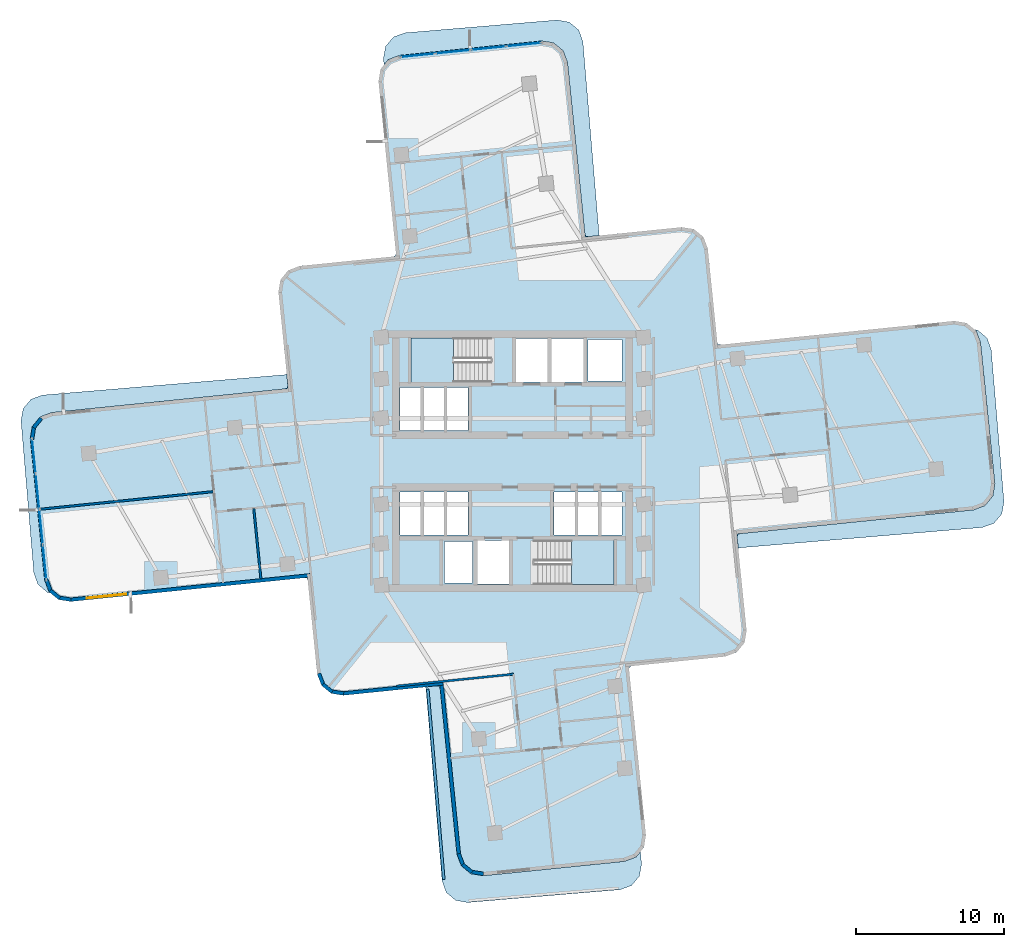
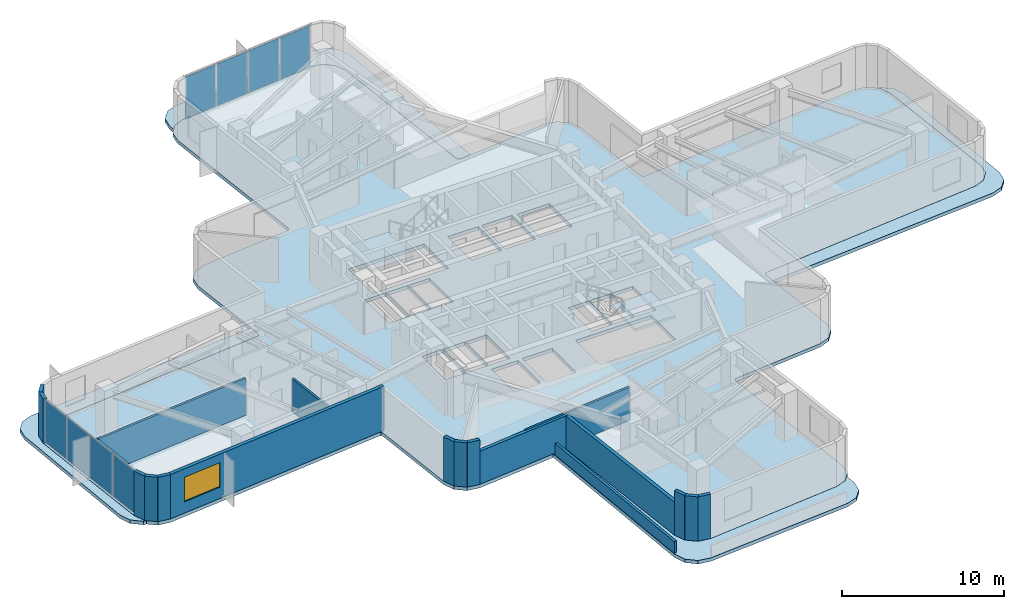
# One storey, part 6 of 14: 18 walls, 8 plates, 7 slabs, 1 window, 1 opening, 4 elements without a shape of their own.
"""IFC4 building model written with IfcOpenShell, lengths in metres."""

import ifcopenshell
import ifcopenshell.guid

model = None  # the IFC model being written
_history = None  # IfcOwnerHistory: only IFC2X3 demands one
_inside = {}  # id of a spatial element -> (the spatial element, [elements in it])
_under = {}  # id of a project, library or spatial element -> (it, [spatial elements below it])
_declared = {}  # id of a project -> (the project, [libraries it declares])
_typed = {}  # id of a type object -> (the type object, [elements of that type])
_made_of = {}  # id of a material, layer set ... -> (it, [elements and type objects made of it])


def new_model(schema):
    """Start an empty IFC model of exactly this schema.

    Asked for "IFC4X3", IfcOpenShell would pick the latest addendum, in which some entities
    have other attributes; the version numbers below select the first issue.
    IFC2X3 requires an IfcOwnerHistory on every rooted entity: one is made here for all.
    """
    global model, _history
    if schema == "IFC4X3":
        model = ifcopenshell.file(schema_version=(4, 3, 0, 0))
    else:
        model = ifcopenshell.file(schema=schema)
    _inside.clear()
    _under.clear()
    _declared.clear()
    _typed.clear()
    _made_of.clear()
    _history = None
    if model.schema == "IFC2X3":
        org = make("IfcOrganization", Name="unknown")
        user = make(
            "IfcPersonAndOrganization",
            ThePerson=make("IfcPerson", FamilyName="unknown"),
            TheOrganization=org,
        )
        app = make(
            "IfcApplication",
            ApplicationDeveloper=org,
            Version="unknown",
            ApplicationFullName="unknown",
            ApplicationIdentifier="unknown",
        )
        _history = make(
            "IfcOwnerHistory",
            OwningUser=user,
            OwningApplication=app,
            ChangeAction="ADDED",
            CreationDate=0,
        )
    return model


def make(cls, **values):
    """One entity of the class cls with the attributes given. An attribute that is None is left unset."""
    return model.create_entity(
        cls, **{name: value for name, value in values.items() if value is not None}
    )


def rooted(cls, **values):
    """An entity with a GlobalId (a new one), such as an element, a storey or a relation."""
    return make(cls, GlobalId=ifcopenshell.guid.new(), OwnerHistory=_history, **values)


def si_unit(unit_type, name, prefix=None):
    """IfcSIUnit, for example si_unit("LENGTHUNIT", "METRE", prefix="MILLI")."""
    return make("IfcSIUnit", UnitType=unit_type, Prefix=prefix, Name=name)


def assignment(units):
    """IfcUnitAssignment: the units of a project."""
    return None if units is None else make("IfcUnitAssignment", Units=units)


def point(xyz):
    """IfcCartesianPoint."""
    return None if xyz is None else make("IfcCartesianPoint", Coordinates=xyz)


def direction(xyz):
    """IfcDirection."""
    return None if xyz is None else make("IfcDirection", DirectionRatios=xyz)


def frame(location, z_axis=None, x_axis=None):
    """IfcAxis2Placement3D, a coordinate frame: its origin and axes. An axis left out is left unset."""
    return make(
        "IfcAxis2Placement3D",
        Location=point(location),
        Axis=direction(z_axis),
        RefDirection=direction(x_axis),
    )


def frame_2d(location, x_axis=None):
    """IfcAxis2Placement2D, a coordinate frame in the plane: its origin and x axis."""
    return make(
        "IfcAxis2Placement2D", Location=point(location), RefDirection=direction(x_axis)
    )


def origin():
    """The frame at (0, 0, 0) with its axes left unset."""
    return frame((0.0, 0.0, 0.0))


def origin_2d():
    """The frame at (0, 0) in the plane with its x axis left unset."""
    return frame_2d((0.0, 0.0))


def place(relative_to, where):
    """IfcLocalPlacement: puts the frame where relative to a parent placement (None: the world)."""
    return make(
        "IfcLocalPlacement", PlacementRelTo=relative_to, RelativePlacement=where
    )


def context(
    kind, dimensions, precision=None, world=None, true_north=None, identifier=None
):
    """IfcGeometricRepresentationContext, for example the 3D "Model" context."""
    return make(
        "IfcGeometricRepresentationContext",
        ContextIdentifier=identifier,
        ContextType=kind,
        CoordinateSpaceDimension=dimensions,
        Precision=precision,
        WorldCoordinateSystem=world,
        TrueNorth=true_north,
    )


def subcontext(parent, identifier, kind, view, scale=None):
    """IfcGeometricRepresentationSubContext, for example "Body" below "Model"."""
    return make(
        "IfcGeometricRepresentationSubContext",
        ContextIdentifier=identifier,
        ContextType=kind,
        ParentContext=parent,
        TargetScale=scale,
        TargetView=view,
    )


def project(units=None, contexts=None):
    """IfcProject with its units and contexts."""
    return rooted(
        "IfcProject",
        Name="project",
        RepresentationContexts=contexts,
        UnitsInContext=assignment(units),
    )


def spatial(cls, under=None, at=None, **own):
    """A site, building, storey or space (cls), placed at a placement, below another one or the project."""
    s = rooted(cls, ObjectPlacement=at, **own)
    if under is not None:
        _under.setdefault(under.id(), (under, []))[1].append(s)
    return s


def polyline(points):
    """IfcPolyline through the points."""
    return make("IfcPolyline", Points=[point(p) for p in points])


def profile(cls, at=None, kind="AREA", **sizes):
    """A parametric profile (cls). Its sizes go by their IFC names, for example OverallWidth=200.0."""
    return make(cls, ProfileType=kind, Position=at, **sizes)


def rectangle(**sizes):
    """IfcRectangleProfileDef."""
    return profile("IfcRectangleProfileDef", **sizes)


def outline(outer, holes=None, kind="AREA"):
    """IfcArbitraryClosedProfileDef: a profile drawn as a closed curve; with holes, ...WithVoids."""
    if holes is None:
        return make("IfcArbitraryClosedProfileDef", ProfileType=kind, OuterCurve=outer)
    return make(
        "IfcArbitraryProfileDefWithVoids",
        ProfileType=kind,
        OuterCurve=outer,
        InnerCurves=holes,
    )


def extrude(swept, where, along, depth):
    """IfcExtrudedAreaSolid: the profile swept, set in the frame where, extruded along a direction by depth."""
    return make(
        "IfcExtrudedAreaSolid",
        SweptArea=swept,
        Position=where,
        ExtrudedDirection=direction(along),
        Depth=depth,
    )


def shape(context_of_items, identifier, shape_type, items):
    """IfcShapeRepresentation: the items that make up one representation, for example the "Body"."""
    return make(
        "IfcShapeRepresentation",
        ContextOfItems=context_of_items,
        RepresentationIdentifier=identifier,
        RepresentationType=shape_type,
        Items=items,
    )


def material(Name=None, Category=None):
    """IfcMaterial."""
    return make("IfcMaterial", Name=Name, Category=Category)


def layer(
    of_material, thickness, ventilated=None, Name=None, Category=None, Priority=None
):
    """IfcMaterialLayer: one layer of a wall or slab, of a material (None: an air gap)."""
    return make(
        "IfcMaterialLayer",
        Material=of_material,
        LayerThickness=thickness,
        IsVentilated=ventilated,
        Name=Name,
        Category=Category,
        Priority=Priority,
    )


def layer_set(layers, Name=None):
    """IfcMaterialLayerSet."""
    return make("IfcMaterialLayerSet", MaterialLayers=layers, LayerSetName=Name)


def made_of(thing, what):
    """Note that an element or type object is made of a material, layer set ...; save() writes the relation."""
    if what is not None:
        _made_of.setdefault(what.id(), (what, []))[1].append(thing)
    return thing


def type_object(cls, material=None, **own):
    """A type object (cls), such as IfcWallType, which elements share."""
    return made_of(rooted(cls, **own), material)


def element(
    cls,
    number,
    at=None,
    inside=None,
    cuts=None,
    type_object=None,
    material=None,
    context=None,
    identifier="Body",
    shape_type=None,
    held_by="IfcProductDefinitionShape",
    body=None,
    shapes=None,
    **own,
):
    """One element of the class cls, such as IfcWall. Its Tag is "e" and its number.

    at: its placement. inside: the storey or other place that contains it. cuts: it is an
    opening in that element (IfcRelVoidsElement). A single representation is given by context,
    identifier, shape_type and body (its items); several are given by shapes. held_by: the class
    of the entity that holds the representations. save() writes the other relations.
    """
    e = rooted(cls, Tag="e%d" % number, ObjectPlacement=at, **own)
    if body is not None:
        shapes = [shape(context, identifier, shape_type, body)]
    if shapes is not None:
        e.Representation = make(held_by, Representations=shapes)
    if inside is not None:
        _inside.setdefault(inside.id(), (inside, []))[1].append(e)
    if cuts is not None:
        rooted(
            "IfcRelVoidsElement", RelatingBuildingElement=cuts, RelatedOpeningElement=e
        )
    if type_object is not None:
        _typed.setdefault(type_object.id(), (type_object, []))[1].append(e)
    return made_of(e, material)


def fill(opening, filler):
    """IfcRelFillsElement: the door or window that sits in an opening."""
    return rooted(
        "IfcRelFillsElement",
        RelatingOpeningElement=opening,
        RelatedBuildingElement=filler,
    )


def aggregate(whole, parts):
    """IfcRelAggregates: a whole, such as a stair, and the parts it consists of."""
    return rooted("IfcRelAggregates", RelatingObject=whole, RelatedObjects=parts)


def save(model, path):
    """Write the relations noted so far, then the file.

    IfcRelAggregates (storeys below a building ...), IfcRelContainedInSpatialStructure (elements
    in a storey), IfcRelDefinesByType, IfcRelAssociatesMaterial and IfcRelDeclares: one each for
    every whole, place, type object, material and project.
    """
    for whole, parts in _under.values():
        aggregate(whole, parts)
    for where, things in _inside.values():
        rooted(
            "IfcRelContainedInSpatialStructure",
            RelatedElements=things,
            RelatingStructure=where,
        )
    for kind, things in _typed.values():
        rooted("IfcRelDefinesByType", RelatedObjects=things, RelatingType=kind)
    for what, things in _made_of.values():
        rooted("IfcRelAssociatesMaterial", RelatedObjects=things, RelatingMaterial=what)
    for by, libraries in _declared.values():
        rooted("IfcRelDeclares", RelatingContext=by, RelatedDefinitions=libraries)
    model.write(path)


model = new_model("IFC4")

# Units and contexts
model_context = context("Model", 3, precision=1e-05, world=origin(), true_north=direction((0.0, 1.0)))
body_context = subcontext(model_context, "Body", "Model", "MODEL_VIEW")
ifc_project = project(units=[si_unit("LENGTHUNIT", "METRE"), si_unit("AREAUNIT", "SQUARE_METRE"), si_unit("VOLUMEUNIT", "CUBIC_METRE"), si_unit("PLANEANGLEUNIT", "RADIAN"), si_unit("MASSUNIT", "GRAM", prefix="KILO")], contexts=[model_context])

# Site, building, storey
site_placement = place(None, origin())
site = spatial("IfcSite", under=ifc_project, at=site_placement, CompositionType="ELEMENT")
building_placement = place(site_placement, origin())
building = spatial("IfcBuilding", under=site, at=building_placement, Name="Solmarez Civic Tower", CompositionType="ELEMENT")
storey_placement = place(building_placement, frame((0.0, 0.0, 67.679931640625)))
storey = spatial("IfcBuildingStorey", under=building, at=storey_placement, Name="L17", CompositionType="ELEMENT", Elevation=67.679931640625)

# Curtain wall, plates
ifc_material_1 = material(Name="Bronze Anodised Aluminium EN AW-6063 T6", Category="aluminium")
ifc_layer_1 = layer(ifc_material_1, 0.199951171875)
ifc_layer_set_1 = layer_set([ifc_layer_1], Name="Bronze Anodised Aluminium EN AW-6063 T6")
curtain_wall_type = type_object("IfcCurtainWallType", Name="CW-SYS-1", PredefinedType="NOTDEFINED", material=ifc_layer_set_1)
curtain_wall_1_placement = place(storey_placement, origin())
curtain_wall_1 = element("IfcCurtainWall", 1, at=curtain_wall_1_placement, inside=storey, type_object=curtain_wall_type, Name="L17 Stick-Built Curtain Wall 1", PredefinedType="NOTDEFINED")
ifc_material_2 = material(Name="Solar Control Low-E Laminated Vision Glass", Category="glass")
ifc_layer_2 = layer(ifc_material_2, 0.028076171875)
ifc_layer_set_2 = layer_set([ifc_layer_2], Name="Solar Control Low-E Laminated Vision Glass")
plate_type = type_object("IfcPlateType", Name="CWP-GLAZ-28", PredefinedType="CURTAIN_PANEL", material=ifc_layer_set_2)
plate_1_placement = place(storey_placement, frame((-31.552490234375, -6.81201171875, 0.0703125), z_axis=(0.0, 0.0, 1.0), x_axis=(-0.101150430699, 0.994871142596, 0.0)))
plate_1 = element("IfcPlate", 2, at=plate_1_placement, type_object=plate_type, Name="CWS1 panel 1.1", PredefinedType="CURTAIN_PANEL", context=body_context, shape_type="SweptSolid", body=[
    extrude(rectangle(XDim=2.292236328125, YDim=0.028076171875, at=origin_2d()), origin(), (0.0, 0.0, 1.0), 3.199951171875),
])
plate_2_placement = place(storey_placement, frame((-31.7939453125, -4.438232421875, 0.0703125), z_axis=(0.0, 0.0, 1.0), x_axis=(-0.101150430699, 0.994871142596, 0.0)))
plate_2 = element("IfcPlate", 3, at=plate_2_placement, type_object=plate_type, Name="CWS1 panel 2.1", PredefinedType="CURTAIN_PANEL", context=body_context, shape_type="SweptSolid", body=[
    extrude(rectangle(XDim=2.329833984375, YDim=0.028076171875, at=origin_2d()), origin(), (0.0, 0.0, 1.0), 3.199951171875),
])
plate_3_placement = place(storey_placement, frame((-32.037109375, -2.045654296875, 0.0703125), z_axis=(0.0, 0.0, 1.0), x_axis=(-0.101150430699, 0.994871142596, 0.0)))
plate_3 = element("IfcPlate", 4, at=plate_3_placement, type_object=plate_type, Name="CWS1 panel 3.1", PredefinedType="CURTAIN_PANEL", context=body_context, shape_type="SweptSolid", body=[
    extrude(rectangle(XDim=2.329833984375, YDim=0.028076171875, at=origin_2d()), origin(), (0.0, 0.0, 1.0), 3.199951171875),
])
plate_4_placement = place(storey_placement, frame((-32.278564453125, 0.328125, 0.0703125), z_axis=(0.0, 0.0, 1.0), x_axis=(-0.101150430699, 0.994871142596, 0.0)))
plate_4 = element("IfcPlate", 5, at=plate_4_placement, type_object=plate_type, Name="CWS1 panel 4.1", PredefinedType="CURTAIN_PANEL", context=body_context, shape_type="SweptSolid", body=[
    extrude(rectangle(XDim=2.292236328125, YDim=0.028076171875, at=origin_2d()), origin(), (0.0, 0.0, 1.0), 3.199951171875),
])
aggregate(curtain_wall_1, [plate_1, plate_2, plate_3, plate_4])

curtain_wall_2_placement = place(storey_placement, origin())
curtain_wall_2 = element("IfcCurtainWall", 6, at=curtain_wall_2_placement, inside=storey, type_object=curtain_wall_type, Name="L17 Stick-Built Curtain Wall 2", PredefinedType="NOTDEFINED")
plate_5_placement = place(storey_placement, frame((-6.38720703125, 27.37451171875, 0.0703125), z_axis=(0.0, 0.0, 1.0), x_axis=(0.994870078801, 0.101160893168, 0.0)))
plate_5 = element("IfcPlate", 7, at=plate_5_placement, type_object=plate_type, Name="CWS1 panel 1.1", PredefinedType="CURTAIN_PANEL", context=body_context, shape_type="SweptSolid", body=[
    extrude(rectangle(XDim=2.2919921875, YDim=0.028076171875, at=origin_2d()), origin(), (0.0, 0.0, 1.0), 3.199951171875),
])
plate_6_placement = place(storey_placement, frame((-4.013671875, 27.615966796875, 0.0703125), z_axis=(0.0, 0.0, 1.0), x_axis=(0.994870078801, 0.101160893168, 0.0)))
plate_6 = element("IfcPlate", 8, at=plate_6_placement, type_object=plate_type, Name="CWS1 panel 2.1", PredefinedType="CURTAIN_PANEL", context=body_context, shape_type="SweptSolid", body=[
    extrude(rectangle(XDim=2.32958984375, YDim=0.028076171875, at=origin_2d()), origin(), (0.0, 0.0, 1.0), 3.199951171875),
])
plate_7_placement = place(storey_placement, frame((-1.621337890625, 27.859130859375, 0.0703125), z_axis=(0.0, 0.0, 1.0), x_axis=(0.994870078801, 0.101160893168, 0.0)))
plate_7 = element("IfcPlate", 9, at=plate_7_placement, type_object=plate_type, Name="CWS1 panel 3.1", PredefinedType="CURTAIN_PANEL", context=body_context, shape_type="SweptSolid", body=[
    extrude(rectangle(XDim=2.32958984375, YDim=0.028076171875, at=origin_2d()), origin(), (0.0, 0.0, 1.0), 3.199951171875),
])
plate_8_placement = place(storey_placement, frame((0.752197265625, 28.1005859375, 0.0703125), z_axis=(0.0, 0.0, 1.0), x_axis=(0.994870078801, 0.101160893168, 0.0)))
plate_8 = element("IfcPlate", 10, at=plate_8_placement, type_object=plate_type, Name="CWS1 panel 4.1", PredefinedType="CURTAIN_PANEL", context=body_context, shape_type="SweptSolid", body=[
    extrude(rectangle(XDim=2.2919921875, YDim=0.028076171875, at=origin_2d()), origin(), (0.0, 0.0, 1.0), 3.199951171875),
])
aggregate(curtain_wall_2, [plate_5, plate_6, plate_7, plate_8])

# Stair, slab
ifc_material_3 = material(Name="Concrete C50/60", Category="concrete")
stair_type = type_object("IfcStairType", Name="STAIR-DOGLEG-140W-20R-1800", PredefinedType="HALF_TURN_STAIR", material=ifc_material_3)
stair_1_placement = place(storey_placement, origin())
stair_1 = element("IfcStair", 11, at=stair_1_placement, inside=storey, type_object=stair_type, Name="L17 North Core Protected Exit Stair ST-1", PredefinedType="HALF_TURN_STAIR")
ifc_layer_3 = layer(ifc_material_3, 0.199951171875)
ifc_layer_set_3 = layer_set([ifc_layer_3], Name="Concrete C50/60")
slab_type_1 = type_object("IfcSlabType", Name="SLAB-LANDING-200", PredefinedType="LANDING", material=ifc_layer_set_3)
slab_1_placement = place(storey_placement, frame((0.0, 0.0, 1.60009765625)))
slab_1 = element("IfcSlab", 12, at=slab_1_placement, type_object=slab_type_1, Name="ST-1 landing 1", PredefinedType="LANDING", context=body_context, shape_type="SweptSolid", body=[
    extrude(outline(polyline([(-3.969970703125, 8.320068359375), (-6.85009765625, 8.320068359375), (-6.85009765625, 5.320068359375), (-3.969970703125, 5.320068359375), (-3.969970703125, 8.320068359375)])), origin(), (0.0, 0.0, 1.0), 0.199951171875),
])
aggregate(stair_1, [slab_1])

stair_2_placement = place(storey_placement, origin())
stair_2 = element("IfcStair", 13, at=stair_2_placement, inside=storey, type_object=stair_type, Name="L17 South Core Protected Exit Stair ST-2", PredefinedType="HALF_TURN_STAIR")
slab_2_placement = place(storey_placement, frame((0.0, 0.0, 1.60009765625)))
slab_2 = element("IfcSlab", 14, at=slab_2_placement, type_object=slab_type_1, Name="ST-2 landing 1", PredefinedType="LANDING", context=body_context, shape_type="SweptSolid", body=[
    extrude(outline(polyline([(3.969970703125, -8.320068359375), (6.85009765625, -8.320068359375), (6.85009765625, -5.320068359375), (3.969970703125, -5.320068359375), (3.969970703125, -8.320068359375)])), origin(), (0.0, 0.0, 1.0), 0.199951171875),
])
aggregate(stair_2, [slab_2])

# Slabs
ifc_layer_4 = layer(ifc_material_3, 0.25)
ifc_layer_set_4 = layer_set([ifc_layer_4], Name="Concrete C50/60")
slab_type_2 = type_object("IfcSlabType", Name="SLAB-ROOF-250", PredefinedType="ROOF", material=ifc_layer_set_4)
slab_3_placement = place(storey_placement, frame((0.0, 0.0, -0.260009765625)))
element("IfcSlab", 15, at=slab_3_placement, inside=storey, type_object=slab_type_2, Name="L17 Setback Roof Slab 1", PredefinedType="ROOF", context=body_context, shape_type="SweptSolid", body=[
    extrude(outline(polyline([(8.633056640625, -26.322021484375), (8.340087890625, -26.680908203125), (7.56494140625, -26.97607421875), (-1.987060546875, -27.946044921875), (-2.804931640625, -27.81298828125), (-3.447998046875, -27.2890625), (-3.741943359375, -26.513916015625), (-4.8779296875, -15.33203125), (-4.93798828125, -15.173095703125), (-5.10595703125, -15.14599609375), (-5.868896484375, -15.222900390625), (-5.840087890625, -15.302978515625), (-4.7490234375, -28.297119140625), (-4.468017578125, -29.075927734375), (-3.8359375, -29.610107421875), (-3.02099609375, -29.757080078125), (7.242919921875, -28.89501953125), (8.02294921875, -28.614990234375), (8.556884765625, -27.98193359375), (8.7041015625, -27.1669921875), (8.633056640625, -26.322021484375)])), origin(), (0.0, 0.0, 1.0), 0.260009765625),
])
slab_4_placement = place(storey_placement, frame((0.0, 0.0, -0.260009765625)))
element("IfcSlab", 16, at=slab_4_placement, inside=storey, type_object=slab_type_2, Name="L17 Setback Roof Slab 2", PredefinedType="ROOF", context=body_context, shape_type="SweptSolid", body=[
    extrude(outline(polyline([(-8.6669921875, 26.72802734375), (-8.3798828125, 27.0791015625), (-7.60498046875, 27.3740234375), (1.946044921875, 28.343994140625), (2.764892578125, 28.2109375), (3.406982421875, 27.68701171875), (3.700927734375, 26.912109375), (4.8779296875, 15.33203125), (4.93798828125, 15.173095703125), (5.10595703125, 15.14599609375), (5.868896484375, 15.222900390625), (5.840087890625, 15.302978515625), (4.7490234375, 28.297119140625), (4.468017578125, 29.075927734375), (3.8359375, 29.610107421875), (3.02099609375, 29.757080078125), (-7.242919921875, 28.89501953125), (-8.02294921875, 28.614990234375), (-8.556884765625, 27.98193359375), (-8.7041015625, 27.1669921875), (-8.6669921875, 26.72802734375)])), origin(), (0.0, 0.0, 1.0), 0.260009765625),
])
slab_5_placement = place(storey_placement, frame((0.0, 0.0, -0.260009765625)))
element("IfcSlab", 17, at=slab_5_placement, inside=storey, type_object=slab_type_2, Name="L17 Setback Roof Slab 3", PredefinedType="ROOF", context=body_context, shape_type="SweptSolid", body=[
    extrude(outline(polyline([(-31.16796875, -8.8779296875), (-31.258056640625, -8.803955078125), (-31.552001953125, -8.030029296875), (-32.52197265625, 1.52197265625), (-32.388916015625, 2.340087890625), (-31.864990234375, 2.98291015625), (-31.090087890625, 3.277099609375), (-15.33203125, 4.8779296875), (-15.173095703125, 4.93798828125), (-15.14599609375, 5.10595703125), (-15.222900390625, 5.868896484375), (-15.302978515625, 5.840087890625), (-31.68505859375, 4.464111328125), (-32.464111328125, 4.18408203125), (-32.9990234375, 3.551025390625), (-33.14501953125, 2.736083984375), (-32.282958984375, -7.528076171875), (-32.0029296875, -8.306884765625), (-31.3701171875, -8.842041015625), (-31.16796875, -8.8779296875)])), origin(), (0.0, 0.0, 1.0), 0.260009765625),
])
slab_6_placement = place(storey_placement, frame((0.0, 0.0, -0.260009765625)))
element("IfcSlab", 18, at=slab_6_placement, inside=storey, type_object=slab_type_2, Name="L17 Setback Roof Slab 4", PredefinedType="ROOF", context=body_context, shape_type="SweptSolid", body=[
    extrude(outline(polyline([(31.16796875, 8.8779296875), (31.258056640625, 8.803955078125), (31.552001953125, 8.030029296875), (32.52197265625, -1.52197265625), (32.388916015625, -2.340087890625), (31.864990234375, -2.98291015625), (31.090087890625, -3.277099609375), (15.33203125, -4.8779296875), (15.173095703125, -4.93798828125), (15.14599609375, -5.10595703125), (15.222900390625, -5.868896484375), (15.302978515625, -5.840087890625), (31.68505859375, -4.464111328125), (32.464111328125, -4.18408203125), (32.9990234375, -3.551025390625), (33.14501953125, -2.736083984375), (32.282958984375, 7.528076171875), (32.0029296875, 8.306884765625), (31.3701171875, 8.842041015625), (31.16796875, 8.8779296875)])), origin(), (0.0, 0.0, 1.0), 0.260009765625),
])
ifc_layer_5 = layer(ifc_material_3, 0.260009765625)
ifc_layer_set_5 = layer_set([ifc_layer_5], Name="Concrete C50/60")
slab_type_3 = type_object("IfcSlabType", Name="SLAB-TOWER-260", PredefinedType="FLOOR", material=ifc_layer_set_5)
slab_7_placement = place(storey_placement, frame((0.0, 0.0, -0.260009765625)))
element("IfcSlab", 19, at=slab_7_placement, inside=storey, type_object=slab_type_3, Name="L17 Structural Slab", PredefinedType="FLOOR", context=body_context, shape_type="SweptSolid", body=[
    extrude(outline(polyline([(-13.806884765625, -8.047119140625), (-13.1669921875, -14.35400390625), (-12.873046875, -15.1279296875), (-12.23095703125, -15.652099609375), (-11.4130859375, -15.783935546875), (-5.10595703125, -15.14404296875), (-4.93701171875, -15.1708984375), (-4.8759765625, -15.33203125), (-3.739990234375, -26.513916015625), (-3.446044921875, -27.2880859375), (-2.803955078125, -27.81103515625), (-1.986083984375, -27.944091796875), (7.56494140625, -26.97412109375), (8.339111328125, -26.679931640625), (8.862060546875, -26.0380859375), (8.9951171875, -25.219970703125), (7.85888671875, -14.0380859375), (7.885986328125, -13.868896484375), (8.047119140625, -13.806884765625), (14.35400390625, -13.1669921875), (15.1279296875, -12.873046875), (15.652099609375, -12.23095703125), (15.783935546875, -11.4130859375), (15.14404296875, -5.10595703125), (15.1708984375, -4.93701171875), (15.33203125, -4.8759765625), (31.090087890625, -3.27490234375), (31.864013671875, -2.98095703125), (32.387939453125, -2.339111328125), (32.52001953125, -1.52099609375), (31.550048828125, 8.029052734375), (31.256103515625, 8.803955078125), (30.614013671875, 9.326904296875), (29.797119140625, 9.4599609375), (14.0380859375, 7.85888671875), (13.868896484375, 7.885986328125), (13.806884765625, 8.047119140625), (13.1669921875, 14.35400390625), (12.873046875, 15.1279296875), (12.23095703125, 15.652099609375), (11.4130859375, 15.783935546875), (5.10595703125, 15.14404296875), (4.93701171875, 15.1708984375), (4.8759765625, 15.33203125), (3.698974609375, 26.912109375), (3.405029296875, 27.68603515625), (2.762939453125, 28.208984375), (1.946044921875, 28.342041015625), (-7.60498046875, 27.3720703125), (-8.37890625, 27.076904296875), (-8.903076171875, 26.43603515625), (-9.034912109375, 25.617919921875), (-7.85888671875, 14.0380859375), (-7.885986328125, 13.868896484375), (-8.047119140625, 13.806884765625), (-14.35400390625, 13.1669921875), (-15.1279296875, 12.873046875), (-15.652099609375, 12.23095703125), (-15.783935546875, 11.4130859375), (-15.14404296875, 5.10595703125), (-15.1708984375, 4.93701171875), (-15.33203125, 4.8759765625), (-31.090087890625, 3.27490234375), (-31.864013671875, 2.98095703125), (-32.387939453125, 2.339111328125), (-32.52001953125, 1.52099609375), (-31.550048828125, -8.029052734375), (-31.256103515625, -8.803955078125), (-30.614013671875, -9.326904296875), (-29.797119140625, -9.4599609375), (-14.0380859375, -7.85888671875), (-13.868896484375, -7.885986328125), (-13.806884765625, -8.047119140625)]), holes=[polyline([(-1.449951171875, 8.320068359375), (-6.85009765625, 8.320068359375), (-6.85009765625, 5.320068359375), (-1.449951171875, 5.320068359375), (-1.449951171875, 8.320068359375)]), polyline([(1.449951171875, -8.320068359375), (6.85009765625, -8.320068359375), (6.85009765625, -5.320068359375), (1.449951171875, -5.320068359375), (1.449951171875, -8.320068359375)]), polyline([(0.219970703125, 5.360107421875), (2.3798828125, 5.360107421875), (2.3798828125, 8.280029296875), (0.219970703125, 8.280029296875), (0.219970703125, 5.360107421875)]), polyline([(2.6201171875, 5.360107421875), (4.780029296875, 5.360107421875), (4.780029296875, 8.280029296875), (2.6201171875, 8.280029296875), (2.6201171875, 5.360107421875)]), polyline([(-2.3798828125, -8.280029296875), (-0.219970703125, -8.280029296875), (-0.219970703125, -5.360107421875), (-2.3798828125, -5.360107421875), (-2.3798828125, -8.280029296875)]), polyline([(2.800048828125, -4.9599609375), (4.280029296875, -4.9599609375), (4.280029296875, -2.06005859375), (2.800048828125, -2.06005859375), (2.800048828125, -4.9599609375)]), polyline([(4.360107421875, -4.9599609375), (5.840087890625, -4.9599609375), (5.840087890625, -2.06005859375), (4.360107421875, -2.06005859375), (4.360107421875, -4.9599609375)]), polyline([(5.919921875, -4.9599609375), (7.39990234375, -4.9599609375), (7.39990234375, -2.06005859375), (5.919921875, -2.06005859375), (5.919921875, -4.9599609375)]), polyline([(-7.60009765625, -4.9599609375), (-6.1201171875, -4.9599609375), (-6.1201171875, -2.06005859375), (-7.60009765625, -2.06005859375), (-7.60009765625, -4.9599609375)]), polyline([(-6.0400390625, -4.9599609375), (-4.56005859375, -4.9599609375), (-4.56005859375, -2.06005859375), (-6.0400390625, -2.06005859375), (-6.0400390625, -4.9599609375)]), polyline([(-4.47998046875, -4.9599609375), (-3.0, -4.9599609375), (-3.0, -2.06005859375), (-4.47998046875, -2.06005859375), (-4.47998046875, -4.9599609375)]), polyline([(-7.60009765625, 2.06005859375), (-6.1201171875, 2.06005859375), (-6.1201171875, 4.9599609375), (-7.60009765625, 4.9599609375), (-7.60009765625, 2.06005859375)]), polyline([(-6.0400390625, 2.06005859375), (-4.56005859375, 2.06005859375), (-4.56005859375, 4.9599609375), (-6.0400390625, 4.9599609375), (-6.0400390625, 2.06005859375)]), polyline([(-4.47998046875, 2.06005859375), (-3.0, 2.06005859375), (-3.0, 4.9599609375), (-4.47998046875, 4.9599609375), (-4.47998046875, 2.06005859375)]), polyline([(5.10009765625, 5.419921875), (7.39990234375, 5.419921875), (7.39990234375, 8.219970703125), (5.10009765625, 8.219970703125), (5.10009765625, 5.419921875)]), polyline([(-4.60009765625, -8.219970703125), (-2.699951171875, -8.219970703125), (-2.699951171875, -5.419921875), (-4.60009765625, -5.419921875), (-4.60009765625, -8.219970703125)])]), origin(), (0.0, 0.0, 1.0), 0.260009765625),
])

# Wall, opening, window
ifc_material_4 = material(Name="Precast concrete C40/50", Category="concrete")
ifc_layer_6 = layer(ifc_material_4, 0.239990234375)
ifc_layer_set_6 = layer_set([ifc_layer_6], Name="Precast concrete C40/50")
wall_type_1 = type_object("IfcWallType", Name="WALL-EXT-240", PredefinedType="SOLIDWALL", material=ifc_layer_set_6)
wall_1_placement = place(storey_placement, frame((-13.6259765625, -7.696044921875, 0.0), z_axis=(0.0, 0.0, 1.0), x_axis=(-0.994872930989, -0.101132839298, 0.0)))
wall_1 = element("IfcWall", 20, at=wall_1_placement, inside=storey, type_object=wall_type_1, Name="L17 Exterior Precast Wall 2", PredefinedType="SOLIDWALL", context=body_context, shape_type="SweptSolid", body=[
    extrude(rectangle(XDim=16.275634765625, YDim=0.239990234375, at=frame_2d((8.1376953125, 0.0))), origin(), (0.0, 0.0, 1.0), 3.340087890625),
])
opening_placement = place(wall_1_placement, frame((12.47509765625, 0.0, 0.85009765625)))
opening = element("IfcOpeningElement", 21, at=opening_placement, cuts=wall_1, Name="Opening W-05", PredefinedType="OPENING", context=body_context, shape_type="SweptSolid", body=[
    extrude(rectangle(XDim=2.699951171875, YDim=1.85009765625, at=frame_2d((1.35009765625, 0.925048828125))), frame((0.0, 0.1298828125, 0.0), z_axis=(0.0, -1.0, 0.0), x_axis=(1.0, 0.0, 0.0)), (0.0, 0.0, 1.0), 0.260009765625),
])
ifc_material_5 = material(Name="Solar Control Bronze-Tinted Insulating Glass", Category="glass")
window_type = type_object("IfcWindowType", Name="WIN-2700X1850", PartitioningType="SINGLE_PANEL", PredefinedType="WINDOW", material=ifc_material_5)
window_placement = place(opening_placement, origin())
window = element("IfcWindow", 22, at=window_placement, inside=storey, type_object=window_type, Name="L17 Exterior Facade Window 2", OverallHeight=1.85009765625, OverallWidth=2.699951171875, PartitioningType="SINGLE_PANEL", PredefinedType="WINDOW", context=body_context, shape_type="SweptSolid", body=[
    extrude(rectangle(XDim=2.699951171875, YDim=1.85009765625, at=frame_2d((1.35009765625, 0.925048828125))), frame((0.0, 0.030029296875, 0.0), z_axis=(0.0, -1.0, 0.0), x_axis=(1.0, 0.0, 0.0)), (0.0, 0.0, 1.0), 0.06005859375),
])
fill(opening, window)

# Walls
wall_2_placement = place(storey_placement, frame((-29.76806640625, -9.343017578125, 0.0), z_axis=(0.0, 0.0, 1.0), x_axis=(-0.987084128833, 0.160202754679, 0.0)))
element("IfcWall", 23, at=wall_2_placement, inside=storey, type_object=wall_type_1, Name="L17 Exterior Precast Wall 3", PredefinedType="SOLIDWALL", context=body_context, shape_type="SweptSolid", body=[
    extrude(rectangle(XDim=0.83056640625, YDim=0.239990234375, at=frame_2d((0.415283203125, 0.0))), origin(), (0.0, 0.0, 1.0), 3.340087890625),
])
wall_3_placement = place(storey_placement, frame((-30.5439453125, -9.22998046875, 0.0), z_axis=(0.0, 0.0, 1.0), x_axis=(-0.774358164226, 0.632747527452, 0.0)))
element("IfcWall", 24, at=wall_3_placement, inside=storey, type_object=wall_type_1, Name="L17 Exterior Precast Wall 4", PredefinedType="SOLIDWALL", context=body_context, shape_type="SweptSolid", body=[
    extrude(rectangle(XDim=0.813720703125, YDim=0.239990234375, at=frame_2d((0.40673828125, 0.0))), origin(), (0.0, 0.0, 1.0), 3.340087890625),
])
wall_4_placement = place(storey_placement, frame((-31.14599609375, -8.75390625, 0.0), z_axis=(0.0, 0.0, 1.0), x_axis=(-0.355701438235, 0.934599639866, 0.0)))
element("IfcWall", 25, at=wall_4_placement, inside=storey, type_object=wall_type_1, Name="L17 Exterior Precast Wall 5", PredefinedType="SOLIDWALL", context=body_context, shape_type="SweptSolid", body=[
    extrude(rectangle(XDim=0.8291015625, YDim=0.239990234375, at=frame_2d((0.41455078125, 0.0))), origin(), (0.0, 0.0, 1.0), 3.340087890625),
])
wall_5_placement = place(storey_placement, frame((-32.403076171875, 1.492919921875, 0.0), z_axis=(0.0, 0.0, 1.0), x_axis=(0.160156284613, 0.987091669755, 0.0)))
element("IfcWall", 26, at=wall_5_placement, inside=storey, type_object=wall_type_1, Name="L17 Exterior Precast Wall 7", PredefinedType="SOLIDWALL", context=body_context, shape_type="SweptSolid", body=[
    extrude(rectangle(XDim=0.830810546875, YDim=0.239990234375, at=frame_2d((0.41552734375, 0.0))), origin(), (0.0, 0.0, 1.0), 3.340087890625),
])
wall_6_placement = place(storey_placement, frame((-32.2900390625, 2.26904296875, 0.0), z_axis=(0.0, 0.0, 1.0), x_axis=(0.632354425822, 0.774679211121, 0.0)))
element("IfcWall", 27, at=wall_6_placement, inside=storey, type_object=wall_type_1, Name="L17 Exterior Precast Wall 8", PredefinedType="SOLIDWALL", context=body_context, shape_type="SweptSolid", body=[
    extrude(rectangle(XDim=0.81298828125, YDim=0.239990234375, at=frame_2d((0.406494140625, 0.0))), origin(), (0.0, 0.0, 1.0), 3.340087890625),
])
wall_7_placement = place(storey_placement, frame((-1.9580078125, -27.826904296875, 0.0), z_axis=(0.0, 0.0, 1.0), x_axis=(-0.987138087172, 0.159869937309, 0.0)))
element("IfcWall", 28, at=wall_7_placement, inside=storey, type_object=wall_type_1, Name="L17 Exterior Precast Wall 61", PredefinedType="SOLIDWALL", context=body_context, shape_type="SweptSolid", body=[
    extrude(rectangle(XDim=0.830810546875, YDim=0.239990234375, at=frame_2d((0.41552734375, 0.0))), origin(), (0.0, 0.0, 1.0), 3.340087890625),
])
wall_8_placement = place(storey_placement, frame((-2.73388671875, -27.714111328125, 0.0), z_axis=(0.0, 0.0, 1.0), x_axis=(-0.774211168236, 0.632927378914, 0.0)))
element("IfcWall", 29, at=wall_8_placement, inside=storey, type_object=wall_type_1, Name="L17 Exterior Precast Wall 62", PredefinedType="SOLIDWALL", context=body_context, shape_type="SweptSolid", body=[
    extrude(rectangle(XDim=0.81396484375, YDim=0.239990234375, at=frame_2d((0.406982421875, 0.0))), origin(), (0.0, 0.0, 1.0), 3.340087890625),
])
wall_9_placement = place(storey_placement, frame((-3.3359375, -27.238037109375, 0.0), z_axis=(0.0, 0.0, 1.0), x_axis=(-0.355860683833, 0.934539016683, 0.0)))
element("IfcWall", 30, at=wall_9_placement, inside=storey, type_object=wall_type_1, Name="L17 Exterior Precast Wall 63", PredefinedType="SOLIDWALL", context=body_context, shape_type="SweptSolid", body=[
    extrude(rectangle(XDim=0.829345703125, YDim=0.239990234375, at=frame_2d((0.41455078125, 0.0))), origin(), (0.0, 0.0, 1.0), 3.340087890625),
])
wall_10_placement = place(storey_placement, frame((-3.618896484375, -26.510986328125, 0.0), z_axis=(0.0, 0.0, 1.0), x_axis=(-0.101161877239, 0.994869978738, 0.0)))
element("IfcWall", 31, at=wall_10_placement, inside=storey, type_object=wall_type_1, Name="L17 Exterior Precast Wall 64", PredefinedType="SOLIDWALL", context=body_context, shape_type="SweptSolid", body=[
    extrude(rectangle(XDim=11.67578125, YDim=0.239990234375, at=frame_2d((5.837890625, 0.0))), origin(), (0.0, 0.0, 1.0), 2.486083984375),
])
wall_11_placement = place(storey_placement, frame((-4.694091796875, -14.98095703125, 0.0), z_axis=(0.0, 0.0, 1.0), x_axis=(-0.994875719665, -0.101105402534, 0.0)))
element("IfcWall", 32, at=wall_11_placement, inside=storey, type_object=wall_type_1, Name="L17 Exterior Precast Wall 67", PredefinedType="SOLIDWALL", context=body_context, shape_type="SweptSolid", body=[
    extrude(rectangle(XDim=6.775634765625, YDim=0.239990234375, at=frame_2d((3.3876953125, 0.0))), origin(), (0.0, 0.0, 1.0), 2.486083984375),
])
wall_12_placement = place(storey_placement, frame((-11.385009765625, -15.6669921875, 0.0), z_axis=(0.0, 0.0, 1.0), x_axis=(-0.987091669755, 0.160156284613, 0.0)))
element("IfcWall", 33, at=wall_12_placement, inside=storey, type_object=wall_type_1, Name="L17 Exterior Precast Wall 68", PredefinedType="SOLIDWALL", context=body_context, shape_type="SweptSolid", body=[
    extrude(rectangle(XDim=0.830810546875, YDim=0.239990234375, at=frame_2d((0.41552734375, 0.0))), origin(), (0.0, 0.0, 1.0), 3.340087890625),
])
wall_13_placement = place(storey_placement, frame((-12.160888671875, -15.553955078125, 0.0), z_axis=(0.0, 0.0, 1.0), x_axis=(-0.774946287969, 0.632027096542, 0.0)))
element("IfcWall", 34, at=wall_13_placement, inside=storey, type_object=wall_type_1, Name="L17 Exterior Precast Wall 69", PredefinedType="SOLIDWALL", context=body_context, shape_type="SweptSolid", body=[
    extrude(rectangle(XDim=0.813232421875, YDim=0.239990234375, at=frame_2d((0.40673828125, 0.0))), origin(), (0.0, 0.0, 1.0), 3.340087890625),
])
wall_14_placement = place(storey_placement, frame((-12.762939453125, -15.0791015625, 0.0), z_axis=(0.0, 0.0, 1.0), x_axis=(-0.355469529522, 0.934687869602, 0.0)))
element("IfcWall", 35, at=wall_14_placement, inside=storey, type_object=wall_type_1, Name="L17 Exterior Precast Wall 70", PredefinedType="SOLIDWALL", context=body_context, shape_type="SweptSolid", body=[
    extrude(rectangle(XDim=0.830322265625, YDim=0.239990234375, at=frame_2d((0.4150390625, 0.0))), origin(), (0.0, 0.0, 1.0), 3.340087890625),
])
ifc_material_6 = material(Name="Gypsum Board Acoustic Steel-Stud Partition", Category="steel")
ifc_layer_7 = layer(ifc_material_6, 0.14501953125)
ifc_layer_set_7 = layer_set([ifc_layer_7], Name="Gypsum Board Acoustic Steel-Stud Partition")
wall_type_2 = type_object("IfcWallType", Name="WALL-INT-PART-150", PredefinedType="PARTITIONING", material=ifc_layer_set_7)
wall_15_placement = place(storey_placement, frame((-17.447998046875, -3.179931640625, 0.0), z_axis=(0.0, 0.0, 1.0), x_axis=(0.101177373152, -0.994868402937, 0.0)))
element("IfcWall", 36, at=wall_15_placement, inside=storey, type_object=wall_type_2, Name="L17 Interior Partition PT-L17-W-LM", PredefinedType="PARTITIONING", context=body_context, shape_type="SweptSolid", body=[
    extrude(rectangle(XDim=4.794677734375, YDim=0.14501953125, at=frame_2d((2.3974609375, 0.0))), origin(), (0.0, 0.0, 1.0), 2.486083984375),
])
wall_16_placement = place(storey_placement, frame((-20.196044921875, -2.051025390625, 0.0), z_axis=(0.0, 0.0, 1.0), x_axis=(-0.994871935232, -0.101142634371, 0.0)))
element("IfcWall", 37, at=wall_16_placement, inside=storey, type_object=wall_type_2, Name="L17 Interior Partition PT-L17-W-TM", PredefinedType="PARTITIONING", context=body_context, shape_type="SweptSolid", body=[
    extrude(rectangle(XDim=11.695068359375, YDim=0.14501953125, at=frame_2d((5.84765625, 0.0))), origin(), (0.0, 0.0, 1.0), 2.79296875),
])
wall_17_placement = place(storey_placement, frame((-7.827880859375, -15.158935546875, 0.0), z_axis=(0.0, 0.0, 1.0), x_axis=(0.994873184944, 0.101130341041, 0.0)))
element("IfcWall", 38, at=wall_17_placement, inside=storey, type_object=wall_type_2, Name="L17 Interior Partition PT-L17-S-EFR", PredefinedType="PARTITIONING", context=body_context, shape_type="SweptSolid", body=[
    extrude(rectangle(XDim=7.94970703125, YDim=0.14501953125, at=frame_2d((3.974853515625, 0.0))), origin(), (0.0, 0.0, 1.0), 2.486083984375),
])
ifc_layer_8 = layer(ifc_material_4, 0.179931640625)
ifc_layer_set_8 = layer_set([ifc_layer_8], Name="Precast concrete C40/50")
wall_type_3 = type_object("IfcWallType", Name="WALL-PARAPET-180", PredefinedType="PARAPET", material=ifc_layer_set_8)
wall_18_placement = place(storey_placement, frame((-5.714111328125, -15.373046875, 0.0), z_axis=(0.0, 0.0, 1.0), x_axis=(0.083710628266, -0.996490105679, 0.0)))
element("IfcWall", 39, at=wall_18_placement, inside=storey, type_object=wall_type_3, Name="L17 Roof Perimeter Parapet 12", PredefinedType="PARAPET", context=body_context, shape_type="SweptSolid", body=[
    extrude(rectangle(XDim=12.879150390625, YDim=0.179931640625, at=frame_2d((6.439453125, 0.0))), origin(), (0.0, 0.0, 1.0), 0.880126953125),
])

save(model, "model.ifc")
